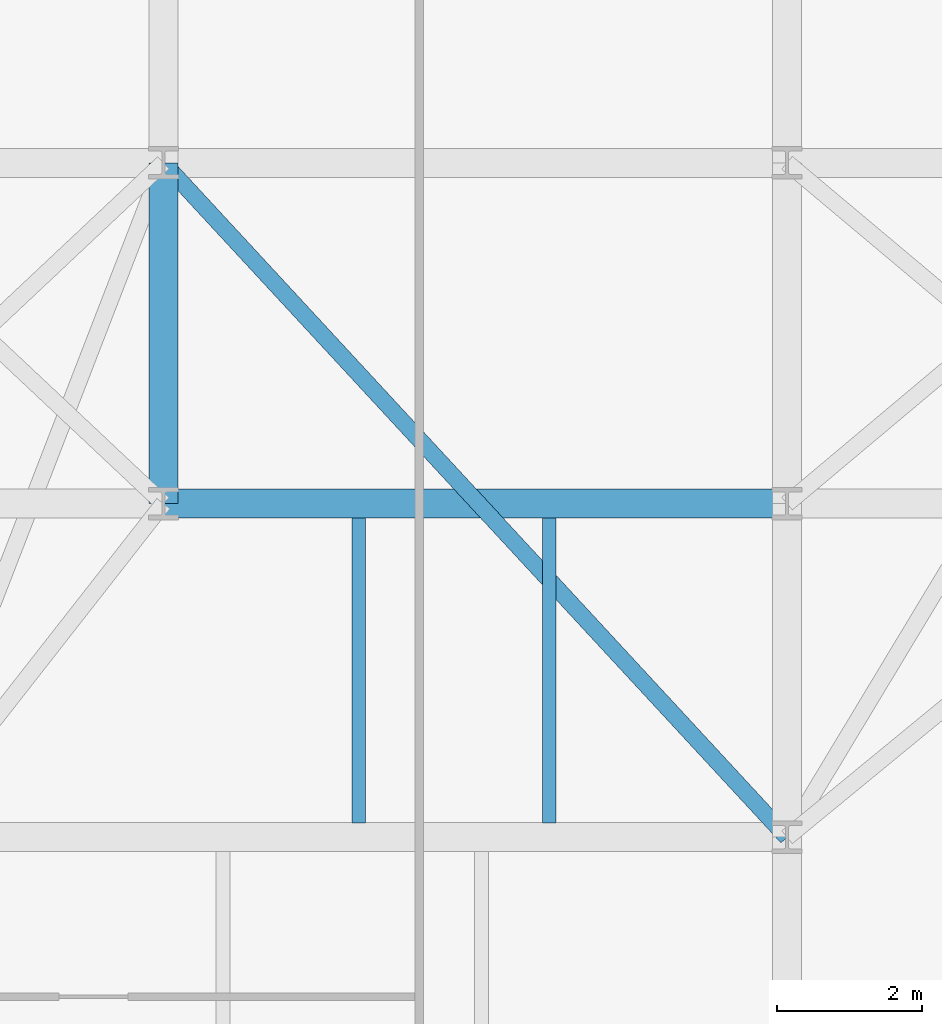
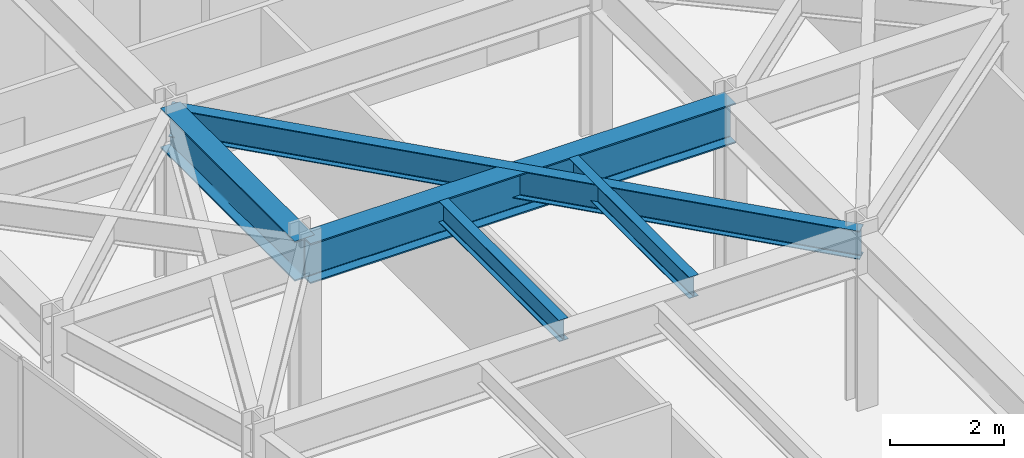
# One storey, part 10 of 26: 5 beams.
"""IFC4 building model written with IfcOpenShell, lengths in metres."""

from ifc_helpers import new_model, si_unit, direction, frame, origin, origin_2d, place, context, subcontext, project, spatial, i_section, extrude, material, material_profile, profile_set, type_object, element, save


model = new_model("IFC4")

# Units and contexts
model_context = context("Model", 3, precision=1e-05, world=origin(), true_north=direction((0.0, 1.0)))
body_context = subcontext(model_context, "Body", "Model", "MODEL_VIEW")
ifc_project = project(units=[si_unit("LENGTHUNIT", "METRE"), si_unit("AREAUNIT", "SQUARE_METRE"), si_unit("VOLUMEUNIT", "CUBIC_METRE"), si_unit("PLANEANGLEUNIT", "RADIAN"), si_unit("MASSUNIT", "GRAM", prefix="KILO")], contexts=[model_context])

# Site, building, storey
site_placement = place(None, origin())
site = spatial("IfcSite", under=ifc_project, at=site_placement, CompositionType="ELEMENT")
building_placement = place(site_placement, origin())
building = spatial("IfcBuilding", under=site, at=building_placement, Name="Kravanh Interchange Tower", CompositionType="ELEMENT")
storey_placement = place(building_placement, frame((0.0, 0.0, 152.0)))
storey = spatial("IfcBuildingStorey", under=building, at=storey_placement, Name="L36", CompositionType="ELEMENT", Elevation=152.0)

# Beams
ifc_material_1 = material(Name="Structural Steel S355", Category="steel")
ifc_material_profile_1 = material_profile(ifc_material_1, i_section(OverallWidth=0.39990234375, OverallDepth=0.85595703125, WebThickness=0.018310546875, FlangeThickness=0.029296875, FilletRadius=0.02490234375, at=origin_2d()), Name="W33X201")
ifc_profile_set_1 = profile_set([ifc_material_profile_1], Name="Structural Steel S355")
beam_type_1 = type_object("IfcBeamType", Name="Floor Beam W33X201 Structural Steel S355", PredefinedType="BEAM", material=ifc_profile_set_1)
beam_1_placement = place(storey_placement, frame((18.60009765625, 26.800048828125, 3.2919921875), z_axis=(0.0, 1.0, 0.0), x_axis=(-1.0, 0.0, 0.0)))
element("IfcBeam", 1, at=beam_1_placement, inside=storey, type_object=beam_type_1, Name="L36 Primary Floor Girder 41", PredefinedType="BEAM", context=body_context, shape_type="SweptSolid", body=[
    extrude(i_section(OverallWidth=0.39990234375, OverallDepth=0.85595703125, WebThickness=0.018310546875, FlangeThickness=0.029296875, FilletRadius=0.02490234375, at=origin_2d()), origin(), (0.0, 0.0, 1.0), 4.699951171875),
])
beam_2_placement = place(storey_placement, frame((18.60009765625, 26.800048828125, 3.2919921875), z_axis=(1.0, 0.0, 0.0), x_axis=(0.0, 1.0, 0.0)))
element("IfcBeam", 2, at=beam_2_placement, inside=storey, type_object=beam_type_1, Name="L36 Primary Floor Girder 44", PredefinedType="BEAM", context=body_context, shape_type="SweptSolid", body=[
    extrude(i_section(OverallWidth=0.39990234375, OverallDepth=0.85595703125, WebThickness=0.018310546875, FlangeThickness=0.029296875, FilletRadius=0.02490234375, at=origin_2d()), origin(), (0.0, 0.0, 1.0), 8.599853515625),
])
ifc_material_2 = material(Name="Structural Steel S355", Category="steel")
ifc_material_profile_2 = material_profile(ifc_material_2, i_section(OverallWidth=0.18994140625, OverallDepth=0.45703125, WebThickness=0.009033203125, FlangeThickness=0.014404296875, FilletRadius=0.01806640625, at=origin_2d()), Name="W18X50")
ifc_profile_set_2 = profile_set([ifc_material_profile_2], Name="Structural Steel S355")
beam_type_2 = type_object("IfcBeamType", Name="Floor Joist W18X50 Structural Steel S355", PredefinedType="JOIST", material=ifc_profile_set_2)
for number, where, z_axis, x_axis, name in (
    (3, (21.2939453125, 22.39501953125, 3.491455078125), (0.0, 1.0, 0.0), (-1.0, 0.0, 0.0), "L36 Secondary Floor Joist 11"),
    (4, (23.922119140625, 22.39501953125, 3.491455078125), (0.0, 1.0, 0.0), (-1.0, 0.0, 0.0), "L36 Secondary Floor Joist 12"),
):
    element("IfcBeam", number, at=place(storey_placement, frame(where, z_axis=z_axis, x_axis=x_axis)), inside=storey, type_object=beam_type_2, Name=name, PredefinedType="JOIST", context=body_context, shape_type="SweptSolid", body=[
        extrude(i_section(OverallWidth=0.18994140625, OverallDepth=0.45703125, WebThickness=0.009033203125, FlangeThickness=0.014404296875, FilletRadius=0.01806640625, at=origin_2d()), origin(), (0.0, 0.0, 1.0), 4.2099609375),
    ])
ifc_material_3 = material(Name="Structural Steel S355", Category="steel")
ifc_material_profile_3 = material_profile(ifc_material_3, i_section(OverallWidth=0.22802734375, OverallDepth=0.60791015625, WebThickness=0.01123046875, FlangeThickness=0.017333984375, FilletRadius=0.02197265625, at=origin_2d()), Name="W24X76")
ifc_profile_set_3 = profile_set([ifc_material_profile_3], Name="Structural Steel S355")
beam_type_3 = type_object("IfcBeamType", Name="Floor Spandrel W24X76 Structural Steel S355", PredefinedType="SPANDREL", material=ifc_profile_set_3)
beam_3_placement = place(storey_placement, frame((18.60009765625, 31.5, 3.416015625), z_axis=(0.678927458783, -0.734205356634, 0.0), x_axis=(0.734205356634, 0.678927458783, 0.0)))
element("IfcBeam", 5, at=beam_3_placement, inside=storey, type_object=beam_type_3, Name="L36 Perimeter Spandrel 73", PredefinedType="SPANDREL", context=body_context, shape_type="SweptSolid", body=[
    extrude(i_section(OverallWidth=0.22802734375, OverallDepth=0.60791015625, WebThickness=0.01123046875, FlangeThickness=0.017333984375, FilletRadius=0.02197265625, at=origin_2d()), origin(), (0.0, 0.0, 1.0), 12.666748046875),
])

save(model, "model.ifc")
